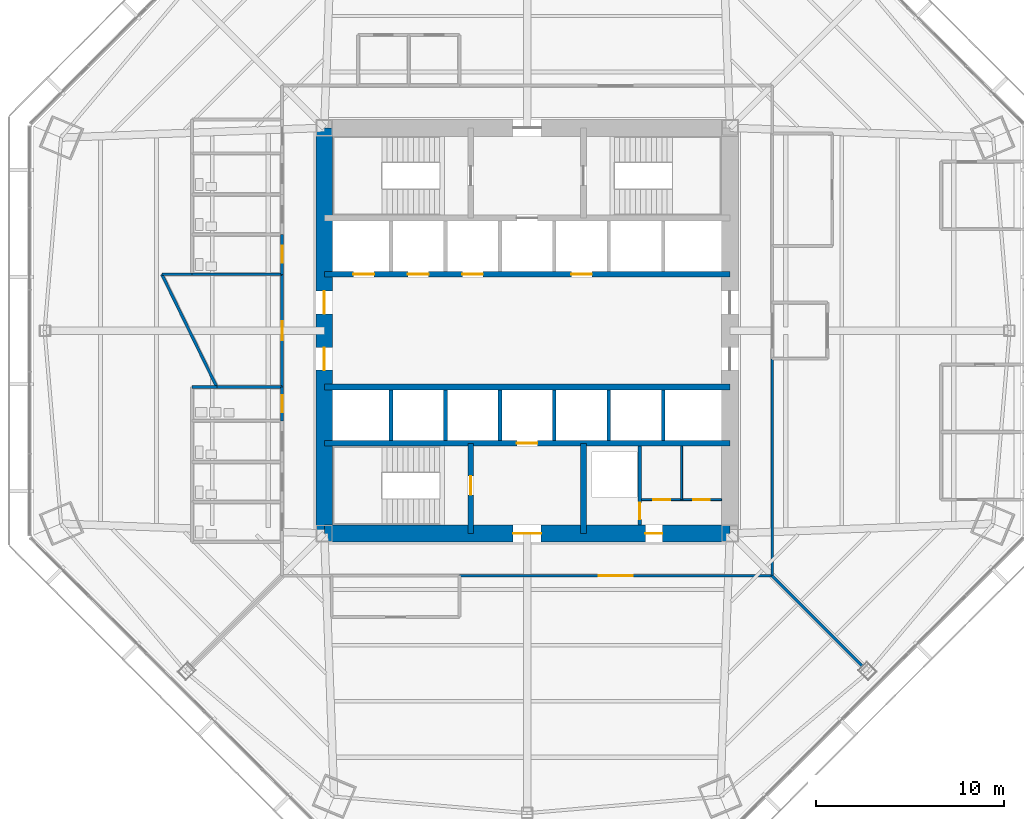
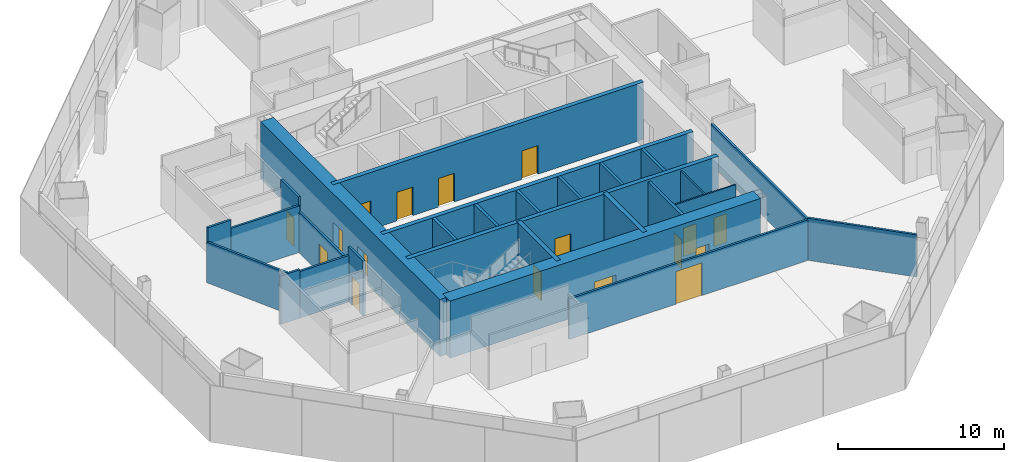
# One storey, part 9 of 14: 27 walls, 17 doors, 17 openings.
"""IFC4 building model written with IfcOpenShell, lengths in metres."""

from ifc_helpers import new_model, si_unit, direction, frame, frame_2d, origin, place, context, subcontext, project, spatial, rectangle, extrude, material, layer, layer_set, type_object, element, fill, save


model = new_model("IFC4")

# Units and contexts
model_context = context("Model", 3, precision=1e-05, world=origin(), true_north=direction((0.0, 1.0)))
body_context = subcontext(model_context, "Body", "Model", "MODEL_VIEW")
ifc_project = project(units=[si_unit("LENGTHUNIT", "METRE"), si_unit("AREAUNIT", "SQUARE_METRE"), si_unit("VOLUMEUNIT", "CUBIC_METRE"), si_unit("PLANEANGLEUNIT", "RADIAN"), si_unit("MASSUNIT", "GRAM", prefix="KILO")], contexts=[model_context])

# Site, building, storey
site_placement = place(None, origin())
site = spatial("IfcSite", under=ifc_project, at=site_placement, CompositionType="ELEMENT")
building_placement = place(site_placement, origin())
building = spatial("IfcBuilding", under=site, at=building_placement, Name="Mashrafa Tower", CompositionType="ELEMENT")
storey_placement = place(building_placement, frame((0.0, 0.0, 54.0)))
storey = spatial("IfcBuildingStorey", under=building, at=storey_placement, Name="L11", CompositionType="ELEMENT", Elevation=54.0)

# Wall, opening, door
ifc_material_1 = material(Name="Concrete masonry unit", Category="masonry")
ifc_layer_1 = layer(ifc_material_1, 0.199951171875)
ifc_layer_set_1 = layer_set([ifc_layer_1], Name="Blockwork wall 200 2 hr")
wall_type_1 = type_object("IfcWallType", Name="Blockwork wall 200 2 hr", PredefinedType="PARTITIONING", material=ifc_layer_set_1)
wall_1_placement = place(storey_placement, frame((6.0, -10.35009765625, 0.0), z_axis=(0.0, 0.0, 1.0), x_axis=(0.0, 1.0, 0.0)))
wall_1 = element("IfcWall", 1, at=wall_1_placement, inside=storey, type_object=wall_type_1, Name="Riser enclosure wall L11", PredefinedType="PARTITIONING", context=body_context, shape_type="SweptSolid", body=[
    extrude(rectangle(XDim=4.2001953125, YDim=0.199951171875, at=frame_2d((2.10009765625, 0.0))), origin(), (0.0, 0.0, 1.0), 4.034912109375),
])
opening_1_placement = place(wall_1_placement, frame((0.300048828125, 0.0, 0.0)))
opening_1 = element("IfcOpeningElement", 2, at=opening_1_placement, cuts=wall_1, Name="Opening 11.032", PredefinedType="OPENING", context=body_context, shape_type="SweptSolid", body=[
    extrude(rectangle(XDim=0.89990234375, YDim=2.10009765625, at=frame_2d((0.449951171875, 1.050048828125))), frame((0.0, 0.10986328125, 0.0), z_axis=(0.0, -1.0, 0.0), x_axis=(1.0, 0.0, 0.0)), (0.0, 0.0, 1.0), 0.219970703125),
])
ifc_material_2 = material(Name="Steel door", Category="steel")
door_type_1 = type_object("IfcDoorType", Name="Service door 900 x 2100 90 min", OperationType="USERDEFINED", PredefinedType="DOOR", material=ifc_material_2)
door_1_placement = place(opening_1_placement, origin())
door_1 = element("IfcDoor", 3, at=door_1_placement, inside=storey, type_object=door_type_1, Name="Riser door L11", OperationType="SINGLE_SWING_LEFT", OverallHeight=2.10009765625, OverallWidth=0.89990234375, PredefinedType="DOOR", context=body_context, shape_type="SweptSolid", body=[
    extrude(rectangle(XDim=0.89990234375, YDim=2.10009765625, at=frame_2d((0.449951171875, 1.050048828125))), frame((0.0, 0.02490234375, 0.0), z_axis=(0.0, -1.0, 0.0), x_axis=(1.0, 0.0, 0.0)), (0.0, 0.0, 1.0), 0.050048828125),
])
fill(opening_1, door_1)

# Wall, openings, doors
ifc_material_3 = material(Name="Concrete C60/75", Category="concrete")
ifc_layer_2 = layer(ifc_material_3, 0.300048828125)
ifc_layer_set_2 = layer_set([ifc_layer_2], Name="Core wall 300 C60/75")
wall_type_2 = type_object("IfcWallType", Name="Core wall 300 C60/75", PredefinedType="SOLIDWALL", material=ifc_layer_set_2)
wall_2_placement = place(storey_placement, frame((-10.800048828125, 3.0, 0.0), z_axis=(0.0, 0.0, 1.0), x_axis=(1.0, 0.0, 0.0)))
wall_2 = element("IfcWall", 4, at=wall_2_placement, inside=storey, type_object=wall_type_2, Name="Core wall CH-N L11", PredefinedType="SOLIDWALL", context=body_context, shape_type="SweptSolid", body=[
    extrude(rectangle(XDim=21.60009765625, YDim=0.300048828125, at=frame_2d((10.800048828125, 0.0))), origin(), (0.0, 0.0, 1.0), 4.199951171875),
])
opening_2_placement = place(wall_2_placement, frame((1.550048828125, 0.0, 0.0)))
opening_2 = element("IfcOpeningElement", 5, at=opening_2_placement, cuts=wall_2, Name="Opening 11.A1", PredefinedType="OPENING", context=body_context, shape_type="SweptSolid", body=[
    extrude(rectangle(XDim=1.10009765625, YDim=2.10009765625, at=frame_2d((0.550048828125, 1.050048828125))), frame((0.0, 0.159912109375, 0.0), z_axis=(0.0, -1.0, 0.0), x_axis=(1.0, 0.0, 0.0)), (0.0, 0.0, 1.0), 0.320068359375),
])
opening_3_placement = place(wall_2_placement, frame((4.449951171875, 0.0, 0.0)))
opening_3 = element("IfcOpeningElement", 6, at=opening_3_placement, cuts=wall_2, Name="Opening 11.A2", PredefinedType="OPENING", context=body_context, shape_type="SweptSolid", body=[
    extrude(rectangle(XDim=1.10009765625, YDim=2.10009765625, at=frame_2d((0.550048828125, 1.050048828125))), frame((0.0, 0.159912109375, 0.0), z_axis=(0.0, -1.0, 0.0), x_axis=(1.0, 0.0, 0.0)), (0.0, 0.0, 1.0), 0.320068359375),
])
opening_4_placement = place(wall_2_placement, frame((7.35009765625, 0.0, 0.0)))
opening_4 = element("IfcOpeningElement", 7, at=opening_4_placement, cuts=wall_2, Name="Opening 11.A3", PredefinedType="OPENING", context=body_context, shape_type="SweptSolid", body=[
    extrude(rectangle(XDim=1.10009765625, YDim=2.10009765625, at=frame_2d((0.550048828125, 1.050048828125))), frame((0.0, 0.159912109375, 0.0), z_axis=(0.0, -1.0, 0.0), x_axis=(1.0, 0.0, 0.0)), (0.0, 0.0, 1.0), 0.320068359375),
])
opening_5_placement = place(wall_2_placement, frame((13.14990234375, 0.0, 0.0)))
opening_5 = element("IfcOpeningElement", 8, at=opening_5_placement, cuts=wall_2, Name="Opening 11.A4", PredefinedType="OPENING", context=body_context, shape_type="SweptSolid", body=[
    extrude(rectangle(XDim=1.10009765625, YDim=2.10009765625, at=frame_2d((0.550048828125, 1.050048828125))), frame((0.0, 0.159912109375, 0.0), z_axis=(0.0, -1.0, 0.0), x_axis=(1.0, 0.0, 0.0)), (0.0, 0.0, 1.0), 0.320068359375),
])
ifc_material_4 = material(Name="Steel door", Category="steel")
door_type_2 = type_object("IfcDoorType", Name="Lift landing door 1100 x 2100 90 min", OperationType="DOUBLE_DOOR_SLIDING", PredefinedType="DOOR", material=ifc_material_4)
door_2_placement = place(opening_2_placement, origin())
door_2 = element("IfcDoor", 9, at=door_2_placement, inside=storey, type_object=door_type_2, Name="Lift landing door A1 L11", OperationType="DOUBLE_DOOR_SLIDING", OverallHeight=2.10009765625, OverallWidth=1.10009765625, PredefinedType="DOOR", context=body_context, shape_type="SweptSolid", body=[
    extrude(rectangle(XDim=1.10009765625, YDim=2.10009765625, at=frame_2d((0.550048828125, 1.050048828125))), frame((0.0, 0.02490234375, 0.0), z_axis=(0.0, -1.0, 0.0), x_axis=(1.0, 0.0, 0.0)), (0.0, 0.0, 1.0), 0.050048828125),
])
fill(opening_2, door_2)
door_3_placement = place(opening_3_placement, origin())
door_3 = element("IfcDoor", 10, at=door_3_placement, inside=storey, type_object=door_type_2, Name="Lift landing door A2 L11", OperationType="DOUBLE_DOOR_SLIDING", OverallHeight=2.10009765625, OverallWidth=1.10009765625, PredefinedType="DOOR", context=body_context, shape_type="SweptSolid", body=[
    extrude(rectangle(XDim=1.10009765625, YDim=2.10009765625, at=frame_2d((0.550048828125, 1.050048828125))), frame((0.0, 0.02490234375, 0.0), z_axis=(0.0, -1.0, 0.0), x_axis=(1.0, 0.0, 0.0)), (0.0, 0.0, 1.0), 0.050048828125),
])
fill(opening_3, door_3)
door_4_placement = place(opening_4_placement, origin())
door_4 = element("IfcDoor", 11, at=door_4_placement, inside=storey, type_object=door_type_2, Name="Lift landing door A3 L11", OperationType="DOUBLE_DOOR_SLIDING", OverallHeight=2.10009765625, OverallWidth=1.10009765625, PredefinedType="DOOR", context=body_context, shape_type="SweptSolid", body=[
    extrude(rectangle(XDim=1.10009765625, YDim=2.10009765625, at=frame_2d((0.550048828125, 1.050048828125))), frame((0.0, 0.02490234375, 0.0), z_axis=(0.0, -1.0, 0.0), x_axis=(1.0, 0.0, 0.0)), (0.0, 0.0, 1.0), 0.050048828125),
])
fill(opening_4, door_4)
door_5_placement = place(opening_5_placement, origin())
door_5 = element("IfcDoor", 12, at=door_5_placement, inside=storey, type_object=door_type_2, Name="Lift landing door A4 L11", OperationType="DOUBLE_DOOR_SLIDING", OverallHeight=2.10009765625, OverallWidth=1.10009765625, PredefinedType="DOOR", context=body_context, shape_type="SweptSolid", body=[
    extrude(rectangle(XDim=1.10009765625, YDim=2.10009765625, at=frame_2d((0.550048828125, 1.050048828125))), frame((0.0, 0.02490234375, 0.0), z_axis=(0.0, -1.0, 0.0), x_axis=(1.0, 0.0, 0.0)), (0.0, 0.0, 1.0), 0.050048828125),
])
fill(opening_5, door_5)

# Wall
wall_3_placement = place(storey_placement, frame((-10.800048828125, -3.0, 0.0), z_axis=(0.0, 0.0, 1.0), x_axis=(1.0, 0.0, 0.0)))
element("IfcWall", 13, at=wall_3_placement, inside=storey, type_object=wall_type_2, Name="Core wall CH-S L11", PredefinedType="SOLIDWALL", context=body_context, shape_type="SweptSolid", body=[
    extrude(rectangle(XDim=21.60009765625, YDim=0.300048828125, at=frame_2d((10.800048828125, 0.0))), origin(), (0.0, 0.0, 1.0), 4.199951171875),
])

# Wall, opening, door
wall_4_placement = place(storey_placement, frame((-10.800048828125, -6.0, 0.0), z_axis=(0.0, 0.0, 1.0), x_axis=(1.0, 0.0, 0.0)))
wall_4 = element("IfcWall", 14, at=wall_4_placement, inside=storey, type_object=wall_type_2, Name="Core wall CB-S L11", PredefinedType="SOLIDWALL", context=body_context, shape_type="SweptSolid", body=[
    extrude(rectangle(XDim=21.60009765625, YDim=0.300048828125, at=frame_2d((10.800048828125, 0.0))), origin(), (0.0, 0.0, 1.0), 4.199951171875),
])
opening_6_placement = place(wall_4_placement, frame((10.25, 0.0, 0.0)))
opening_6 = element("IfcOpeningElement", 15, at=opening_6_placement, cuts=wall_4, Name="Opening 11.F2", PredefinedType="OPENING", context=body_context, shape_type="SweptSolid", body=[
    extrude(rectangle(XDim=1.10009765625, YDim=2.10009765625, at=frame_2d((0.550048828125, 1.050048828125))), frame((0.0, 0.159912109375, 0.0), z_axis=(0.0, -1.0, 0.0), x_axis=(1.0, 0.0, 0.0)), (0.0, 0.0, 1.0), 0.320068359375),
])
door_6_placement = place(opening_6_placement, origin())
door_6 = element("IfcDoor", 16, at=door_6_placement, inside=storey, type_object=door_type_2, Name="Lift landing door F2 L11", OperationType="DOUBLE_DOOR_SLIDING", OverallHeight=2.10009765625, OverallWidth=1.10009765625, PredefinedType="DOOR", context=body_context, shape_type="SweptSolid", body=[
    extrude(rectangle(XDim=1.10009765625, YDim=2.10009765625, at=frame_2d((0.550048828125, 1.050048828125))), frame((0.0, 0.02490234375, 0.0), z_axis=(0.0, -1.0, 0.0), x_axis=(1.0, 0.0, 0.0)), (0.0, 0.0, 1.0), 0.050048828125),
])
fill(opening_6, door_6)

wall_5_placement = place(storey_placement, frame((-3.0, -6.0, 0.0), z_axis=(0.0, 0.0, 1.0), x_axis=(0.0, -1.0, 0.0)))
wall_5 = element("IfcWall", 17, at=wall_5_placement, inside=storey, type_object=wall_type_2, Name="Core wall CX-SW L11", PredefinedType="SOLIDWALL", context=body_context, shape_type="SweptSolid", body=[
    extrude(rectangle(XDim=4.800048828125, YDim=0.300048828125, at=frame_2d((2.39990234375, 0.0))), origin(), (0.0, 0.0, 1.0), 4.199951171875),
])
opening_7_placement = place(wall_5_placement, frame((1.75, 0.0, 0.0)))
opening_7 = element("IfcOpeningElement", 18, at=opening_7_placement, cuts=wall_5, Name="Opening 11.030", PredefinedType="OPENING", context=body_context, shape_type="SweptSolid", body=[
    extrude(rectangle(XDim=1.0, YDim=2.10009765625, at=frame_2d((0.5, 1.050048828125))), frame((0.0, 0.159912109375, 0.0), z_axis=(0.0, -1.0, 0.0), x_axis=(1.0, 0.0, 0.0)), (0.0, 0.0, 1.0), 0.320068359375),
])
ifc_material_5 = material(Name="Steel door", Category="steel")
door_type_3 = type_object("IfcDoorType", Name="Stair door 1000 x 2100 90 min", OperationType="USERDEFINED", PredefinedType="DOOR", material=ifc_material_5)
door_7_placement = place(opening_7_placement, frame((1.0, 0.0, 0.0), z_axis=(0.0, 0.0, 1.0), x_axis=(-1.0, 0.0, 0.0)))
door_7 = element("IfcDoor", 19, at=door_7_placement, inside=storey, type_object=door_type_3, Name="Stair S3 door L11", OperationType="SINGLE_SWING_RIGHT", OverallHeight=2.10009765625, OverallWidth=1.0, PredefinedType="DOOR", context=body_context, shape_type="SweptSolid", body=[
    extrude(rectangle(XDim=1.0, YDim=2.10009765625, at=frame_2d((0.5, 1.050048828125))), frame((0.0, 0.02490234375, 0.0), z_axis=(0.0, -1.0, 0.0), x_axis=(1.0, 0.0, 0.0)), (0.0, 0.0, 1.0), 0.050048828125),
])
fill(opening_7, door_7)

# Wall
wall_6_placement = place(storey_placement, frame((3.0, -6.0, 0.0), z_axis=(0.0, 0.0, 1.0), x_axis=(0.0, -1.0, 0.0)))
element("IfcWall", 20, at=wall_6_placement, inside=storey, type_object=wall_type_2, Name="Core wall CX-SE L11", PredefinedType="SOLIDWALL", context=body_context, shape_type="SweptSolid", body=[
    extrude(rectangle(XDim=4.800048828125, YDim=0.300048828125, at=frame_2d((2.39990234375, 0.0))), origin(), (0.0, 0.0, 1.0), 4.199951171875),
])

# Wall, openings, doors
ifc_material_6 = material(Name="Concrete C60/75", Category="concrete")
ifc_layer_3 = layer(ifc_material_6, 0.89990234375)
ifc_layer_set_3 = layer_set([ifc_layer_3], Name="Core wall 900 C60/75")
wall_type_3 = type_object("IfcWallType", Name="Core wall 900 C60/75", PredefinedType="SOLIDWALL", material=ifc_layer_set_3)
wall_7_placement = place(storey_placement, frame((-10.800048828125, -10.800048828125, 0.0), z_axis=(0.0, 0.0, 1.0), x_axis=(1.0, 0.0, 0.0)))
wall_7 = element("IfcWall", 21, at=wall_7_placement, inside=storey, type_object=wall_type_3, Name="Core wall CW-S L11", PredefinedType="SOLIDWALL", context=body_context, shape_type="SweptSolid", body=[
    extrude(rectangle(XDim=21.60009765625, YDim=0.89990234375, at=frame_2d((10.800048828125, 0.0))), origin(), (0.0, 0.0, 1.0), 4.199951171875),
])
opening_8_placement = place(wall_7_placement, frame((10.050048828125, 0.0, 0.0)))
opening_8 = element("IfcOpeningElement", 22, at=opening_8_placement, cuts=wall_7, Name="Opening 11.027", PredefinedType="OPENING", context=body_context, shape_type="SweptSolid", body=[
    extrude(rectangle(XDim=1.5, YDim=2.10009765625, at=frame_2d((0.75, 1.050048828125))), frame((0.0, 0.4599609375, 0.0), z_axis=(0.0, -1.0, 0.0), x_axis=(1.0, 0.0, 0.0)), (0.0, 0.0, 1.0), 0.919921875),
])
opening_9_placement = place(wall_7_placement, frame((17.10009765625, 0.0, 0.0)))
opening_9 = element("IfcOpeningElement", 23, at=opening_9_placement, cuts=wall_7, Name="Opening 11.031", PredefinedType="OPENING", context=body_context, shape_type="SweptSolid", body=[
    extrude(rectangle(XDim=0.89990234375, YDim=2.10009765625, at=frame_2d((0.449951171875, 1.050048828125))), frame((0.0, 0.4599609375, 0.0), z_axis=(0.0, -1.0, 0.0), x_axis=(1.0, 0.0, 0.0)), (0.0, 0.0, 1.0), 0.919921875),
])
ifc_material_7 = material(Name="Steel door", Category="steel")
door_type_4 = type_object("IfcDoorType", Name="Lobby door pair 1500 x 2100 90 min", OperationType="DOUBLE_DOOR_SINGLE_SWING", PredefinedType="DOOR", material=ifc_material_7)
door_8_placement = place(opening_8_placement, origin())
door_8 = element("IfcDoor", 24, at=door_8_placement, inside=storey, type_object=door_type_4, Name="Fire-fighting lobby F2 door L11", OperationType="DOUBLE_DOOR_SINGLE_SWING", OverallHeight=2.10009765625, OverallWidth=1.5, PredefinedType="DOOR", context=body_context, shape_type="SweptSolid", body=[
    extrude(rectangle(XDim=1.5, YDim=2.10009765625, at=frame_2d((0.75, 1.050048828125))), frame((0.0, 0.02490234375, 0.0), z_axis=(0.0, -1.0, 0.0), x_axis=(1.0, 0.0, 0.0)), (0.0, 0.0, 1.0), 0.050048828125),
])
fill(opening_8, door_8)
door_9_placement = place(opening_9_placement, frame((0.89990234375, 0.0, 0.0), z_axis=(0.0, 0.0, 1.0), x_axis=(-1.0, 0.0, 0.0)))
door_9 = element("IfcDoor", 25, at=door_9_placement, inside=storey, type_object=door_type_1, Name="Services Lobby L11 door", OperationType="SINGLE_SWING_LEFT", OverallHeight=2.10009765625, OverallWidth=0.89990234375, PredefinedType="DOOR", context=body_context, shape_type="SweptSolid", body=[
    extrude(rectangle(XDim=0.89990234375, YDim=2.10009765625, at=frame_2d((0.449951171875, 1.050048828125))), frame((0.0, 0.02490234375, 0.0), z_axis=(0.0, -1.0, 0.0), x_axis=(1.0, 0.0, 0.0)), (0.0, 0.0, 1.0), 0.050048828125),
])
fill(opening_9, door_9)

wall_8_placement = place(storey_placement, frame((-10.800048828125, 10.800048828125, 0.0), z_axis=(0.0, 0.0, 1.0), x_axis=(0.0, -1.0, 0.0)))
wall_8 = element("IfcWall", 26, at=wall_8_placement, inside=storey, type_object=wall_type_3, Name="Core wall CW-W L11", PredefinedType="SOLIDWALL", context=body_context, shape_type="SweptSolid", body=[
    extrude(rectangle(XDim=21.60009765625, YDim=0.89990234375, at=frame_2d((10.800048828125, 0.0))), origin(), (0.0, 0.0, 1.0), 4.199951171875),
])
opening_10_placement = place(wall_8_placement, frame((8.699951171875, 0.0, 0.0)))
opening_10 = element("IfcOpeningElement", 27, at=opening_10_placement, cuts=wall_8, Name="Opening 11.023", PredefinedType="OPENING", context=body_context, shape_type="SweptSolid", body=[
    extrude(rectangle(XDim=1.199951171875, YDim=2.10009765625, at=frame_2d((0.60009765625, 1.050048828125))), frame((0.0, 0.4599609375, 0.0), z_axis=(0.0, -1.0, 0.0), x_axis=(1.0, 0.0, 0.0)), (0.0, 0.0, 1.0), 0.919921875),
])
opening_11_placement = place(wall_8_placement, frame((11.699951171875, 0.0, 0.0)))
opening_11 = element("IfcOpeningElement", 28, at=opening_11_placement, cuts=wall_8, Name="Opening 11.025", PredefinedType="OPENING", context=body_context, shape_type="SweptSolid", body=[
    extrude(rectangle(XDim=1.199951171875, YDim=2.10009765625, at=frame_2d((0.60009765625, 1.050048828125))), frame((0.0, 0.4599609375, 0.0), z_axis=(0.0, -1.0, 0.0), x_axis=(1.0, 0.0, 0.0)), (0.0, 0.0, 1.0), 0.919921875),
])
ifc_material_8 = material(Name="Steel door", Category="steel")
door_type_5 = type_object("IfcDoorType", Name="Lift hall door 1200 x 2100 90 min", OperationType="USERDEFINED", PredefinedType="DOOR", material=ifc_material_8)
door_10_placement = place(opening_10_placement, frame((1.199951171875, 0.0, 0.0), z_axis=(0.0, 0.0, 1.0), x_axis=(-1.0, 0.0, 0.0)))
door_10 = element("IfcDoor", 29, at=door_10_placement, inside=storey, type_object=door_type_5, Name="Lift hall door west L11", OperationType="SINGLE_SWING_RIGHT", OverallHeight=2.10009765625, OverallWidth=1.199951171875, PredefinedType="DOOR", context=body_context, shape_type="SweptSolid", body=[
    extrude(rectangle(XDim=1.199951171875, YDim=2.10009765625, at=frame_2d((0.60009765625, 1.050048828125))), frame((0.0, 0.02490234375, 0.0), z_axis=(0.0, -1.0, 0.0), x_axis=(1.0, 0.0, 0.0)), (0.0, 0.0, 1.0), 0.050048828125),
])
fill(opening_10, door_10)
door_11_placement = place(opening_11_placement, frame((1.199951171875, 0.0, 0.0), z_axis=(0.0, 0.0, 1.0), x_axis=(-1.0, 0.0, 0.0)))
door_11 = element("IfcDoor", 30, at=door_11_placement, inside=storey, type_object=door_type_5, Name="Lift hall door west L11", OperationType="SINGLE_SWING_LEFT", OverallHeight=2.10009765625, OverallWidth=1.199951171875, PredefinedType="DOOR", context=body_context, shape_type="SweptSolid", body=[
    extrude(rectangle(XDim=1.199951171875, YDim=2.10009765625, at=frame_2d((0.60009765625, 1.050048828125))), frame((0.0, 0.02490234375, 0.0), z_axis=(0.0, -1.0, 0.0), x_axis=(1.0, 0.0, 0.0)), (0.0, 0.0, 1.0), 0.050048828125),
])
fill(opening_11, door_11)

# Wall, opening, door
ifc_material_9 = material(Name="Gypsum board on steel studs", Category="steel")
ifc_layer_4 = layer(ifc_material_9, 0.14990234375)
ifc_layer_set_4 = layer_set([ifc_layer_4], Name="Corridor partition 150 1 hr")
wall_type_4 = type_object("IfcWallType", Name="Corridor partition 150 1 hr", PredefinedType="PARTITIONING", material=ifc_layer_set_4)
wall_9_placement = place(storey_placement, frame((-13.050048828125, 5.1259765625, 0.0), z_axis=(0.0, 0.0, 1.0), x_axis=(0.0, -1.0, 0.0)))
wall_9 = element("IfcWall", 31, at=wall_9_placement, inside=storey, type_object=wall_type_4, Name="Corridor wall L11-001", PredefinedType="PARTITIONING", context=body_context, shape_type="SweptSolid", body=[
    extrude(rectangle(XDim=2.126953125, YDim=0.14990234375, at=frame_2d((1.0634765625, 0.0))), origin(), (0.0, 0.0, 1.0), 4.034912109375),
])
opening_12_placement = place(wall_9_placement, frame((0.613525390625, 0.0, 0.0)))
opening_12 = element("IfcOpeningElement", 32, at=opening_12_placement, cuts=wall_9, Name="Opening 11.001", PredefinedType="OPENING", context=body_context, shape_type="SweptSolid", body=[
    extrude(rectangle(XDim=0.89990234375, YDim=2.10009765625, at=frame_2d((0.449951171875, 1.050048828125))), frame((0.0, 0.0849609375, 0.0), z_axis=(0.0, -1.0, 0.0), x_axis=(1.0, 0.0, 0.0)), (0.0, 0.0, 1.0), 0.169921875),
])
ifc_material_10 = material(Name="Timber door", Category="wood")
door_type_6 = type_object("IfcDoorType", Name="Toilet door 900 x 2100", OperationType="USERDEFINED", PredefinedType="DOOR", material=ifc_material_10)
door_12_placement = place(opening_12_placement, frame((0.89990234375, 0.0, 0.0), z_axis=(0.0, 0.0, 1.0), x_axis=(-1.0, 0.0, 0.0)))
door_12 = element("IfcDoor", 33, at=door_12_placement, inside=storey, type_object=door_type_6, Name="WC Female L11 N door", OperationType="SINGLE_SWING_RIGHT", OverallHeight=2.10009765625, OverallWidth=0.89990234375, PredefinedType="DOOR", context=body_context, shape_type="SweptSolid", body=[
    extrude(rectangle(XDim=0.89990234375, YDim=2.10009765625, at=frame_2d((0.449951171875, 1.050048828125))), frame((0.0, 0.02490234375, 0.0), z_axis=(0.0, -1.0, 0.0), x_axis=(1.0, 0.0, 0.0)), (0.0, 0.0, 1.0), 0.050048828125),
])
fill(opening_12, door_12)

wall_10_placement = place(storey_placement, frame((-13.050048828125, -2.9990234375, 0.0), z_axis=(0.0, 0.0, 1.0), x_axis=(0.0, -1.0, 0.0)))
wall_10 = element("IfcWall", 34, at=wall_10_placement, inside=storey, type_object=wall_type_4, Name="Corridor wall L11-008", PredefinedType="PARTITIONING", context=body_context, shape_type="SweptSolid", body=[
    extrude(rectangle(XDim=1.802001953125, YDim=0.14990234375, at=frame_2d((0.90087890625, 0.0))), origin(), (0.0, 0.0, 1.0), 4.034912109375),
])
opening_13_placement = place(wall_10_placement, frame((0.450927734375, 0.0, 0.0)))
opening_13 = element("IfcOpeningElement", 35, at=opening_13_placement, cuts=wall_10, Name="Opening 11.008", PredefinedType="OPENING", context=body_context, shape_type="SweptSolid", body=[
    extrude(rectangle(XDim=0.89990234375, YDim=2.10009765625, at=frame_2d((0.449951171875, 1.050048828125))), frame((0.0, 0.0849609375, 0.0), z_axis=(0.0, -1.0, 0.0), x_axis=(1.0, 0.0, 0.0)), (0.0, 0.0, 1.0), 0.169921875),
])
door_13_placement = place(opening_13_placement, frame((0.89990234375, 0.0, 0.0), z_axis=(0.0, 0.0, 1.0), x_axis=(-1.0, 0.0, 0.0)))
door_13 = element("IfcDoor", 36, at=door_13_placement, inside=storey, type_object=door_type_6, Name="Ablution Room L11 S door", OperationType="SINGLE_SWING_RIGHT", OverallHeight=2.10009765625, OverallWidth=0.89990234375, PredefinedType="DOOR", context=body_context, shape_type="SweptSolid", body=[
    extrude(rectangle(XDim=0.89990234375, YDim=2.10009765625, at=frame_2d((0.449951171875, 1.050048828125))), frame((0.0, 0.02490234375, 0.0), z_axis=(0.0, -1.0, 0.0), x_axis=(1.0, 0.0, 0.0)), (0.0, 0.0, 1.0), 0.050048828125),
])
fill(opening_13, door_13)

wall_11_placement = place(storey_placement, frame((-13.050048828125, 3.0009765625, 0.0), z_axis=(0.0, 0.0, 1.0), x_axis=(0.0, -1.0, 0.0)))
wall_11 = element("IfcWall", 37, at=wall_11_placement, inside=storey, type_object=wall_type_4, Name="Corridor wall L11-009", PredefinedType="PARTITIONING", context=body_context, shape_type="SweptSolid", body=[
    extrude(rectangle(XDim=6.001953125, YDim=0.14990234375, at=frame_2d((3.0009765625, 0.0))), origin(), (0.0, 0.0, 1.0), 2.983642578125),
])
opening_14_placement = place(wall_11_placement, frame((2.5009765625, 0.0, 0.0)))
opening_14 = element("IfcOpeningElement", 38, at=opening_14_placement, cuts=wall_11, Name="Opening 11.009", PredefinedType="OPENING", context=body_context, shape_type="SweptSolid", body=[
    extrude(rectangle(XDim=1.0, YDim=2.10009765625, at=frame_2d((0.5, 1.050048828125))), frame((0.0, 0.0849609375, 0.0), z_axis=(0.0, -1.0, 0.0), x_axis=(1.0, 0.0, 0.0)), (0.0, 0.0, 1.0), 0.169921875),
])
ifc_material_11 = material(Name="Timber door", Category="wood")
door_type_7 = type_object("IfcDoorType", Name="Door 1000 x 2100", OperationType="USERDEFINED", PredefinedType="DOOR", material=ifc_material_11)
door_14_placement = place(opening_14_placement, frame((1.0, 0.0, 0.0), z_axis=(0.0, 0.0, 1.0), x_axis=(-1.0, 0.0, 0.0)))
door_14 = element("IfcDoor", 39, at=door_14_placement, inside=storey, type_object=door_type_7, Name="Musallah Prayer Room 11 door", OperationType="SINGLE_SWING_LEFT", OverallHeight=2.10009765625, OverallWidth=1.0, PredefinedType="DOOR", context=body_context, shape_type="SweptSolid", body=[
    extrude(rectangle(XDim=1.0, YDim=2.10009765625, at=frame_2d((0.5, 1.050048828125))), frame((0.0, 0.02490234375, 0.0), z_axis=(0.0, -1.0, 0.0), x_axis=(1.0, 0.0, 0.0)), (0.0, 0.0, 1.0), 0.050048828125),
])
fill(opening_14, door_14)

# Wall
wall_12_placement = place(storey_placement, frame((13.050048828125, -13.050048828125, 0.0), z_axis=(0.0, 0.0, 1.0), x_axis=(0.0, 1.0, 0.0)))
element("IfcWall", 40, at=wall_12_placement, inside=storey, type_object=wall_type_4, Name="Corridor wall L11-020", PredefinedType="PARTITIONING", context=body_context, shape_type="SweptSolid", body=[
    extrude(rectangle(XDim=11.551025390625, YDim=0.14990234375, at=frame_2d((5.775390625, 0.0))), origin(), (0.0, 0.0, 1.0), 3.01416015625),
])

# Wall, opening, door
wall_13_placement = place(storey_placement, frame((-3.60107421875, -13.050048828125, 0.0), z_axis=(0.0, 0.0, 1.0), x_axis=(1.0, 0.0, 0.0)))
wall_13 = element("IfcWall", 41, at=wall_13_placement, inside=storey, type_object=wall_type_4, Name="Corridor wall L11-023", PredefinedType="PARTITIONING", context=body_context, shape_type="SweptSolid", body=[
    extrude(rectangle(XDim=16.651123046875, YDim=0.14990234375, at=frame_2d((8.32568359375, 0.0))), origin(), (0.0, 0.0, 1.0), 2.983642578125),
])
opening_15_placement = place(wall_13_placement, frame((7.425537109375, 0.0, 0.0)))
opening_15 = element("IfcOpeningElement", 42, at=opening_15_placement, cuts=wall_13, Name="Opening 11.021", PredefinedType="OPENING", context=body_context, shape_type="SweptSolid", body=[
    extrude(rectangle(XDim=1.800048828125, YDim=2.39990234375, at=frame_2d((0.89990234375, 1.199951171875))), frame((0.0, 0.0849609375, 0.0), z_axis=(0.0, -1.0, 0.0), x_axis=(1.0, 0.0, 0.0)), (0.0, 0.0, 1.0), 0.169921875),
])
ifc_material_12 = material(Name="Timber door", Category="wood")
door_type_8 = type_object("IfcDoorType", Name="Door pair 1800 x 2400", OperationType="DOUBLE_DOOR_SINGLE_SWING", PredefinedType="DOOR", material=ifc_material_12)
door_15_placement = place(opening_15_placement, frame((1.800048828125, 0.0, 0.0), z_axis=(0.0, 0.0, 1.0), x_axis=(-1.0, 0.0, 0.0)))
door_15 = element("IfcDoor", 43, at=door_15_placement, inside=storey, type_object=door_type_8, Name="Research and Sales Office 11 door", OperationType="DOUBLE_DOOR_SINGLE_SWING", OverallHeight=2.39990234375, OverallWidth=1.800048828125, PredefinedType="DOOR", context=body_context, shape_type="SweptSolid", body=[
    extrude(rectangle(XDim=1.800048828125, YDim=2.39990234375, at=frame_2d((0.89990234375, 1.199951171875))), frame((0.0, 0.02490234375, 0.0), z_axis=(0.0, -1.0, 0.0), x_axis=(1.0, 0.0, 0.0)), (0.0, 0.0, 1.0), 0.050048828125),
])
fill(opening_15, door_15)

# Wall, openings, doors
ifc_material_13 = material(Name="Gypsum board on steel studs", Category="steel")
ifc_layer_5 = layer(ifc_material_13, 0.10009765625)
ifc_layer_set_5 = layer_set([ifc_layer_5], Name="Partition 100 1 hr")
wall_type_5 = type_object("IfcWallType", Name="Partition 100 1 hr", PredefinedType="PARTITIONING", material=ifc_layer_set_5)
wall_14_placement = place(storey_placement, frame((6.10009765625, -9.0, 0.0), z_axis=(0.0, 0.0, 1.0), x_axis=(1.0, 0.0, 0.0)))
wall_14 = element("IfcWall", 44, at=wall_14_placement, inside=storey, type_object=wall_type_5, Name="Services lobby partition A L11", PredefinedType="PARTITIONING", context=body_context, shape_type="SweptSolid", body=[
    extrude(rectangle(XDim=4.25, YDim=0.10009765625, at=frame_2d((2.125, 0.0))), origin(), (0.0, 0.0, 1.0), 4.034912109375),
])
opening_16_placement = place(wall_14_placement, frame((0.612548828125, 0.0, 0.0)))
opening_16 = element("IfcOpeningElement", 45, at=opening_16_placement, cuts=wall_14, Name="Opening 11.033", PredefinedType="OPENING", context=body_context, shape_type="SweptSolid", body=[
    extrude(rectangle(XDim=0.89990234375, YDim=2.10009765625, at=frame_2d((0.449951171875, 1.050048828125))), frame((0.0, 0.06005859375, 0.0), z_axis=(0.0, -1.0, 0.0), x_axis=(1.0, 0.0, 0.0)), (0.0, 0.0, 1.0), 0.1201171875),
])
opening_17_placement = place(wall_14_placement, frame((2.737548828125, 0.0, 0.0)))
opening_17 = element("IfcOpeningElement", 46, at=opening_17_placement, cuts=wall_14, Name="Opening 11.034", PredefinedType="OPENING", context=body_context, shape_type="SweptSolid", body=[
    extrude(rectangle(XDim=0.89990234375, YDim=2.10009765625, at=frame_2d((0.449951171875, 1.050048828125))), frame((0.0, 0.06005859375, 0.0), z_axis=(0.0, -1.0, 0.0), x_axis=(1.0, 0.0, 0.0)), (0.0, 0.0, 1.0), 0.1201171875),
])
ifc_material_14 = material(Name="Timber door", Category="wood")
door_type_9 = type_object("IfcDoorType", Name="Store door 900 x 2100", OperationType="USERDEFINED", PredefinedType="DOOR", material=ifc_material_14)
door_16_placement = place(opening_16_placement, origin())
door_16 = element("IfcDoor", 47, at=door_16_placement, inside=storey, type_object=door_type_9, Name="Tenant Store L11 door", OperationType="SINGLE_SWING_RIGHT", OverallHeight=2.10009765625, OverallWidth=0.89990234375, PredefinedType="DOOR", context=body_context, shape_type="SweptSolid", body=[
    extrude(rectangle(XDim=0.89990234375, YDim=2.10009765625, at=frame_2d((0.449951171875, 1.050048828125))), frame((0.0, 0.02490234375, 0.0), z_axis=(0.0, -1.0, 0.0), x_axis=(1.0, 0.0, 0.0)), (0.0, 0.0, 1.0), 0.050048828125),
])
fill(opening_16, door_16)
door_17_placement = place(opening_17_placement, origin())
door_17 = element("IfcDoor", 48, at=door_17_placement, inside=storey, type_object=door_type_9, Name="Cleaner's Store L11 door", OperationType="SINGLE_SWING_LEFT", OverallHeight=2.10009765625, OverallWidth=0.89990234375, PredefinedType="DOOR", context=body_context, shape_type="SweptSolid", body=[
    extrude(rectangle(XDim=0.89990234375, YDim=2.10009765625, at=frame_2d((0.449951171875, 1.050048828125))), frame((0.0, 0.02490234375, 0.0), z_axis=(0.0, -1.0, 0.0), x_axis=(1.0, 0.0, 0.0)), (0.0, 0.0, 1.0), 0.050048828125),
])
fill(opening_17, door_17)

# Walls
wall_15_placement = place(storey_placement, frame((8.22509765625, -9.0, 0.0), z_axis=(0.0, 0.0, 1.0), x_axis=(0.0, 1.0, 0.0)))
element("IfcWall", 49, at=wall_15_placement, inside=storey, type_object=wall_type_5, Name="Services lobby partition B L11", PredefinedType="PARTITIONING", context=body_context, shape_type="SweptSolid", body=[
    extrude(rectangle(XDim=2.85009765625, YDim=0.10009765625, at=frame_2d((1.425048828125, 0.0))), origin(), (0.0, 0.0, 1.0), 4.034912109375),
])
ifc_material_15 = material(Name="Gypsum board on steel studs", Category="steel")
ifc_layer_6 = layer(ifc_material_15, 0.14990234375)
ifc_layer_set_6 = layer_set([ifc_layer_6], Name="Partition 150")
wall_type_6 = type_object("IfcWallType", Name="Partition 150", PredefinedType="PARTITIONING", material=ifc_layer_set_6)
wall_16_placement = place(storey_placement, frame((-17.85009765625, 3.0, 0.0), z_axis=(0.0, 0.0, 1.0), x_axis=(1.0, 0.0, 0.0)))
element("IfcWall", 50, at=wall_16_placement, inside=storey, type_object=wall_type_6, Name="Partition wall L11-025", PredefinedType="PARTITIONING", context=body_context, shape_type="SweptSolid", body=[
    extrude(rectangle(XDim=4.800048828125, YDim=0.14990234375, at=frame_2d((2.39990234375, 0.0))), origin(), (0.0, 0.0, 1.0), 3.423095703125),
])
wall_17_placement = place(storey_placement, frame((-13.050048828125, -3.0, 0.0), z_axis=(0.0, 0.0, 1.0), x_axis=(-1.0, 0.0, 0.0)))
element("IfcWall", 51, at=wall_17_placement, inside=storey, type_object=wall_type_6, Name="Partition wall L11-040", PredefinedType="PARTITIONING", context=body_context, shape_type="SweptSolid", body=[
    extrude(rectangle(XDim=3.474609375, YDim=0.14990234375, at=frame_2d((1.7373046875, 0.0))), origin(), (0.0, 0.0, 1.0), 3.423095703125),
])
wall_18_placement = place(storey_placement, frame((-16.5224609375, -3.0, 0.0), z_axis=(0.0, 0.0, 1.0), x_axis=(-1.0, 0.0, 0.0)))
element("IfcWall", 52, at=wall_18_placement, inside=storey, type_object=wall_type_6, Name="Partition wall L11-041", PredefinedType="PARTITIONING", context=body_context, shape_type="SweptSolid", body=[
    extrude(rectangle(XDim=1.32763671875, YDim=0.14990234375, at=frame_2d((0.663818359375, 0.0))), origin(), (0.0, 0.0, 1.0), 3.565185546875),
])
wall_19_placement = place(storey_placement, frame((-17.84912109375, 3.0, 0.0), z_axis=(0.0, 0.0, 1.0), x_axis=(-1.0, 0.0, 0.0)))
element("IfcWall", 53, at=wall_19_placement, inside=storey, type_object=wall_type_6, Name="Partition wall L11-043", PredefinedType="PARTITIONING", context=body_context, shape_type="SweptSolid", body=[
    extrude(rectangle(XDim=1.600830078125, YDim=0.14990234375, at=frame_2d((0.80029296875, 0.0))), origin(), (0.0, 0.0, 1.0), 4.034912109375),
])
wall_20_placement = place(storey_placement, frame((-19.449951171875, 3.0, 0.0), z_axis=(0.0, 0.0, 1.0), x_axis=(0.43835589904, -0.898801482963, 0.0)))
element("IfcWall", 54, at=wall_20_placement, inside=storey, type_object=wall_type_6, Name="Partition wall L11-044", PredefinedType="PARTITIONING", context=body_context, shape_type="SweptSolid", body=[
    extrude(rectangle(XDim=6.675537109375, YDim=0.14990234375, at=frame_2d((3.337890625, 0.0))), origin(), (0.0, 0.0, 1.0), 2.983642578125),
])
wall_21_placement = place(storey_placement, frame((13.050048828125, -13.050048828125, 0.0), z_axis=(0.0, 0.0, 1.0), x_axis=(0.707106781187, -0.707106781187, 0.0)))
element("IfcWall", 55, at=wall_21_placement, inside=storey, type_object=wall_type_6, Name="Partition wall L11-071", PredefinedType="PARTITIONING", context=body_context, shape_type="SweptSolid", body=[
    extrude(rectangle(XDim=6.793701171875, YDim=0.14990234375, at=frame_2d((3.39697265625, 0.0))), origin(), (0.0, 0.0, 1.0), 3.097900390625),
])
ifc_material_16 = material(Name="Gypsum shaft wall on steel studs", Category="steel")
ifc_layer_7 = layer(ifc_material_16, 0.199951171875)
ifc_layer_set_7 = layer_set([ifc_layer_7], Name="Shaft divider wall 200 2 hr")
wall_type_7 = type_object("IfcWallType", Name="Shaft divider wall 200 2 hr", PredefinedType="PARTITIONING", material=ifc_layer_set_7)
for number, where, z_axis, x_axis, name in (
    (56, (-7.25, -5.85009765625, 0.0), (0.0, 0.0, 1.0), (0.0, 1.0, 0.0), "Shaft divider wall S1 L11"),
    (57, (-4.35009765625, -5.85009765625, 0.0), (0.0, 0.0, 1.0), (0.0, 1.0, 0.0), "Shaft divider wall S2 L11"),
    (58, (-1.449951171875, -5.85009765625, 0.0), (0.0, 0.0, 1.0), (0.0, 1.0, 0.0), "Shaft divider wall S3 L11"),
    (59, (1.449951171875, -5.85009765625, 0.0), (0.0, 0.0, 1.0), (0.0, 1.0, 0.0), "Shaft divider wall S4 L11"),
    (60, (4.35009765625, -5.85009765625, 0.0), (0.0, 0.0, 1.0), (0.0, 1.0, 0.0), "Shaft divider wall S5 L11"),
    (61, (7.25, -5.85009765625, 0.0), (0.0, 0.0, 1.0), (0.0, 1.0, 0.0), "Shaft divider wall S6 L11"),
):
    element("IfcWall", number, at=place(storey_placement, frame(where, z_axis=z_axis, x_axis=x_axis)), inside=storey, type_object=wall_type_7, Name=name, PredefinedType="PARTITIONING", context=body_context, shape_type="SweptSolid", body=[
        extrude(rectangle(XDim=2.7001953125, YDim=0.199951171875, at=frame_2d((1.35009765625, 0.0))), origin(), (0.0, 0.0, 1.0), 4.199951171875),
    ])

save(model, "model.ifc")
